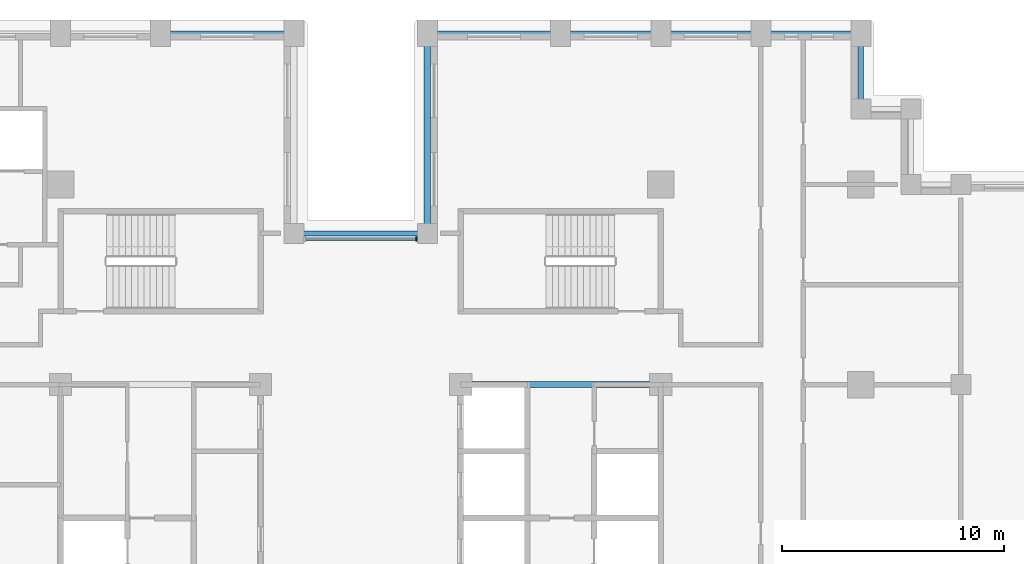
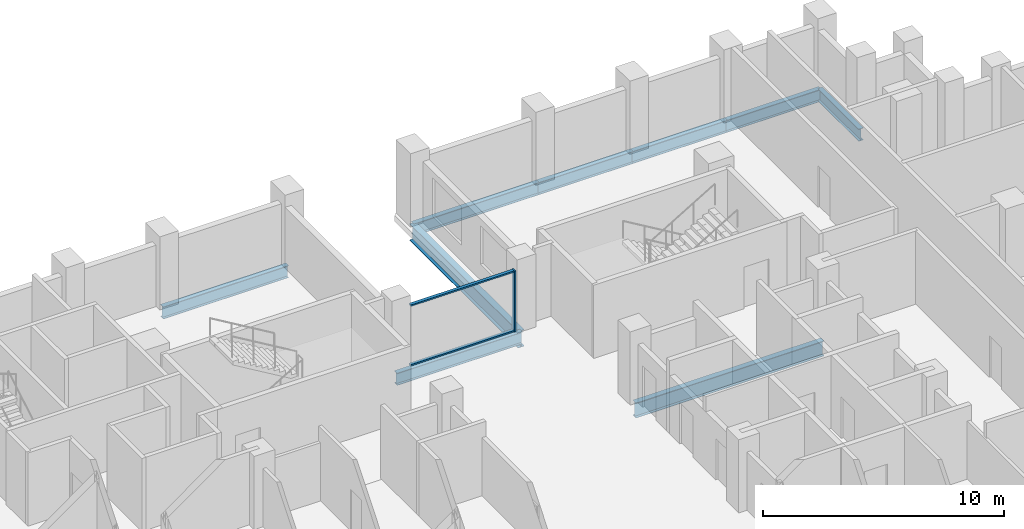
# One storey, part 4 of 15: 9 beams, 3 members, 1 element without a shape of its own.
"""IFC4 building model written with IfcOpenShell, lengths in metres."""

from ifc_helpers import new_model, si_unit, direction, frame, origin, origin_2d, place, context, subcontext, project, spatial, rectangle, i_section, extrude, material, layer, layer_set, material_profile, profile_set, type_object, element, aggregate, save


model = new_model("IFC4")

# Units and contexts
model_context = context("Model", 3, precision=1e-05, world=origin(), true_north=direction((0.0, 1.0)))
body_context = subcontext(model_context, "Body", "Model", "MODEL_VIEW")
ifc_project = project(units=[si_unit("LENGTHUNIT", "METRE"), si_unit("AREAUNIT", "SQUARE_METRE"), si_unit("VOLUMEUNIT", "CUBIC_METRE"), si_unit("PLANEANGLEUNIT", "RADIAN"), si_unit("MASSUNIT", "GRAM", prefix="KILO")], contexts=[model_context])

# Site, building, storey
site_placement = place(None, origin())
site = spatial("IfcSite", under=ifc_project, at=site_placement, CompositionType="ELEMENT")
building_placement = place(site_placement, origin())
building = spatial("IfcBuilding", under=site, at=building_placement, Name="Corbelhall Arena Tower", CompositionType="ELEMENT")
storey_placement = place(building_placement, frame((0.0, 0.0, 92.0)))
storey = spatial("IfcBuildingStorey", under=building, at=storey_placement, Name="L15", CompositionType="ELEMENT", Elevation=92.0)

# Curtain wall, members
ifc_material_1 = material(Name="Aluminium black anodised", Category="aluminium")
ifc_layer = layer(ifc_material_1, 0.199951171875)
ifc_layer_set = layer_set([ifc_layer], Name="EV-CW1 Slot back wall")
curtain_wall_type = type_object("IfcCurtainWallType", Name="EV-CW1 Slot back wall", PredefinedType="NOTDEFINED", material=ifc_layer_set)
curtain_wall_placement = place(storey_placement, origin())
curtain_wall = element("IfcCurtainWall", 1, at=curtain_wall_placement, inside=storey, type_object=curtain_wall_type, Name="Curtain wall CW1", PredefinedType="NOTDEFINED")
ifc_material_profile_1 = material_profile(ifc_material_1, rectangle(XDim=0.199951171875, YDim=0.074951171875, at=origin_2d()))
ifc_profile_set_1 = profile_set([ifc_material_profile_1], Name="Aluminium black anodised")
member_type_1 = type_object("IfcMemberType", Name="EV-CW1-MULLION", PredefinedType="MULLION", material=ifc_profile_set_1)
member_1_placement = place(storey_placement, frame((2.512451171875, 15.550048828125, 0.0), z_axis=(0.0, 0.0, 1.0), x_axis=(0.0, -1.0, 0.0)))
member_1 = element("IfcMember", 2, at=member_1_placement, type_object=member_type_1, Name="CW1 mullion 1", PredefinedType="MULLION", context=body_context, shape_type="SweptSolid", body=[
    extrude(rectangle(XDim=0.199951171875, YDim=0.074951171875, at=origin_2d()), origin(), (0.0, 0.0, 1.0), 3.10009765625),
])
ifc_material_profile_2 = material_profile(ifc_material_1, rectangle(XDim=0.14990234375, YDim=0.074951171875, at=origin_2d()))
ifc_profile_set_2 = profile_set([ifc_material_profile_2], Name="Aluminium black anodised")
member_type_2 = type_object("IfcMemberType", Name="EV-CW1-TRANSOM", PredefinedType="USERDEFINED", material=ifc_profile_set_2)
member_2_placement = place(storey_placement, frame((2.47509765625, 15.550048828125, 0.03759765625), z_axis=(-1.0, 0.0, 0.0), x_axis=(0.0, -1.0, 0.0)))
member_2 = element("IfcMember", 3, at=member_2_placement, type_object=member_type_2, Name="CW1 transom 1.1", ObjectType="transom", PredefinedType="USERDEFINED", context=body_context, shape_type="SweptSolid", body=[
    extrude(rectangle(XDim=0.14990234375, YDim=0.074951171875, at=origin_2d()), origin(), (0.0, 0.0, 1.0), 4.9501953125),
])
member_3_placement = place(storey_placement, frame((2.47509765625, 15.550048828125, 3.0625), z_axis=(-1.0, 0.0, 0.0), x_axis=(0.0, -1.0, 0.0)))
member_3 = element("IfcMember", 4, at=member_3_placement, type_object=member_type_2, Name="CW1 transom 1.2", ObjectType="transom", PredefinedType="USERDEFINED", context=body_context, shape_type="SweptSolid", body=[
    extrude(rectangle(XDim=0.14990234375, YDim=0.074951171875, at=origin_2d()), origin(), (0.0, 0.0, 1.0), 4.9501953125),
])
aggregate(curtain_wall, [member_1, member_2, member_3])

# Beams
ifc_material_2 = material(Name="Steel ASTM A992 Gr50", Category="steel")
ifc_material_profile_3 = material_profile(ifc_material_2, i_section(OverallWidth=0.2666015625, OverallDepth=0.761962890625, WebThickness=0.014404296875, FlangeThickness=0.021484375, at=origin_2d()))
ifc_profile_set_3 = profile_set([ifc_material_profile_3], Name="Steel ASTM A992 Gr50")
beam_type_1 = type_object("IfcBeamType", Name="ST-BEAM-W30x116", PredefinedType="BEAM", material=ifc_profile_set_3)
beam_1_placement = place(storey_placement, frame((4.5, 9.0, -0.680908203125), z_axis=(1.0, 0.0, 0.0), x_axis=(0.0, 1.0, 0.0)))
element("IfcBeam", 5, at=beam_1_placement, inside=storey, type_object=beam_type_1, Name="Beam CEE 12", PredefinedType="BEAM", context=body_context, shape_type="SweptSolid", body=[
    extrude(i_section(OverallWidth=0.2666015625, OverallDepth=0.761962890625, WebThickness=0.014404296875, FlangeThickness=0.021484375, at=origin_2d()), origin(), (0.0, 0.0, 1.0), 9.0),
])
ifc_material_profile_4 = material_profile(ifc_material_2, i_section(OverallWidth=0.23046875, OverallDepth=0.6171875, WebThickness=0.01318359375, FlangeThickness=0.022216796875, at=origin_2d()))
ifc_profile_set_4 = profile_set([ifc_material_profile_4], Name="Steel ASTM A992 Gr50")
beam_type_2 = type_object("IfcBeamType", Name="ST-SPANDREL-W24x94", PredefinedType="SPANDREL", material=ifc_profile_set_4)
beam_2_placement = place(storey_placement, frame((3.0, 24.800048828125, -0.608642578125), z_axis=(1.0, 0.0, 0.0), x_axis=(0.0, 1.0, 0.0)))
element("IfcBeam", 6, at=beam_2_placement, inside=storey, type_object=beam_type_2, Name="Beam SP 17", PredefinedType="SPANDREL", context=body_context, shape_type="SweptSolid", body=[
    extrude(i_section(OverallWidth=0.23046875, OverallDepth=0.6171875, WebThickness=0.01318359375, FlangeThickness=0.022216796875, at=origin_2d()), origin(), (0.0, 0.0, 1.0), 6.0),
])
for number, where, z_axis, x_axis, name in (
    (7, (9.0, 24.800048828125, -0.608642578125), (1.0, 0.0, 0.0), (0.0, 1.0, 0.0), "Beam SP 18"),
    (8, (13.5, 24.800048828125, -0.608642578125), (1.0, 0.0, 0.0), (0.0, 1.0, 0.0), "Beam SP 19"),
    (9, (18.0, 24.800048828125, -0.608642578125), (1.0, 0.0, 0.0), (0.0, 1.0, 0.0), "Beam SP 20"),
):
    element("IfcBeam", number, at=place(storey_placement, frame(where, z_axis=z_axis, x_axis=x_axis)), inside=storey, type_object=beam_type_2, Name=name, PredefinedType="SPANDREL", context=body_context, shape_type="SweptSolid", body=[
        extrude(i_section(OverallWidth=0.23046875, OverallDepth=0.6171875, WebThickness=0.01318359375, FlangeThickness=0.022216796875, at=origin_2d()), origin(), (0.0, 0.0, 1.0), 4.5),
    ])
beam_3_placement = place(storey_placement, frame((22.5, 24.800048828125, -0.608642578125), z_axis=(0.0, -1.0, 0.0), x_axis=(1.0, 0.0, 0.0)))
element("IfcBeam", 10, at=beam_3_placement, inside=storey, type_object=beam_type_2, Name="Beam SP 21", PredefinedType="SPANDREL", context=body_context, shape_type="SweptSolid", body=[
    extrude(i_section(OverallWidth=0.23046875, OverallDepth=0.6171875, WebThickness=0.01318359375, FlangeThickness=0.022216796875, at=origin_2d()), origin(), (0.0, 0.0, 1.0), 3.400146484375),
])
for number, where, z_axis, x_axis, name in (
    (11, (-9.0, 24.800048828125, -0.608642578125), (1.0, 0.0, 0.0), (0.0, 1.0, 0.0), "Beam SP 23"),
    (12, (-3.0, 15.800048828125, -0.608642578125), (1.0, 0.0, 0.0), (0.0, 1.0, 0.0), "Beam SP 40"),
):
    element("IfcBeam", number, at=place(storey_placement, frame(where, z_axis=z_axis, x_axis=x_axis)), inside=storey, type_object=beam_type_2, Name=name, PredefinedType="SPANDREL", context=body_context, shape_type="SweptSolid", body=[
        extrude(i_section(OverallWidth=0.23046875, OverallDepth=0.6171875, WebThickness=0.01318359375, FlangeThickness=0.022216796875, at=origin_2d()), origin(), (0.0, 0.0, 1.0), 6.0),
    ])
ifc_material_profile_5 = material_profile(ifc_material_2, i_section(OverallWidth=0.2919921875, OverallDepth=0.845703125, WebThickness=0.015380859375, FlangeThickness=0.0244140625, at=origin_2d()))
ifc_profile_set_5 = profile_set([ifc_material_profile_5], Name="Steel ASTM A992 Gr50")
beam_type_3 = type_object("IfcBeamType", Name="ST-SPANDREL-W33x141", PredefinedType="SPANDREL", material=ifc_profile_set_5)
beam_4_placement = place(storey_placement, frame((3.0, 15.800048828125, -0.722900390625), z_axis=(0.0, 1.0, 0.0), x_axis=(-1.0, 0.0, 0.0)))
element("IfcBeam", 13, at=beam_4_placement, inside=storey, type_object=beam_type_3, Name="Beam SP 39", PredefinedType="SPANDREL", context=body_context, shape_type="SweptSolid", body=[
    extrude(i_section(OverallWidth=0.2919921875, OverallDepth=0.845703125, WebThickness=0.015380859375, FlangeThickness=0.0244140625, at=origin_2d()), origin(), (0.0, 0.0, 1.0), 9.0),
])

save(model, "model.ifc")
